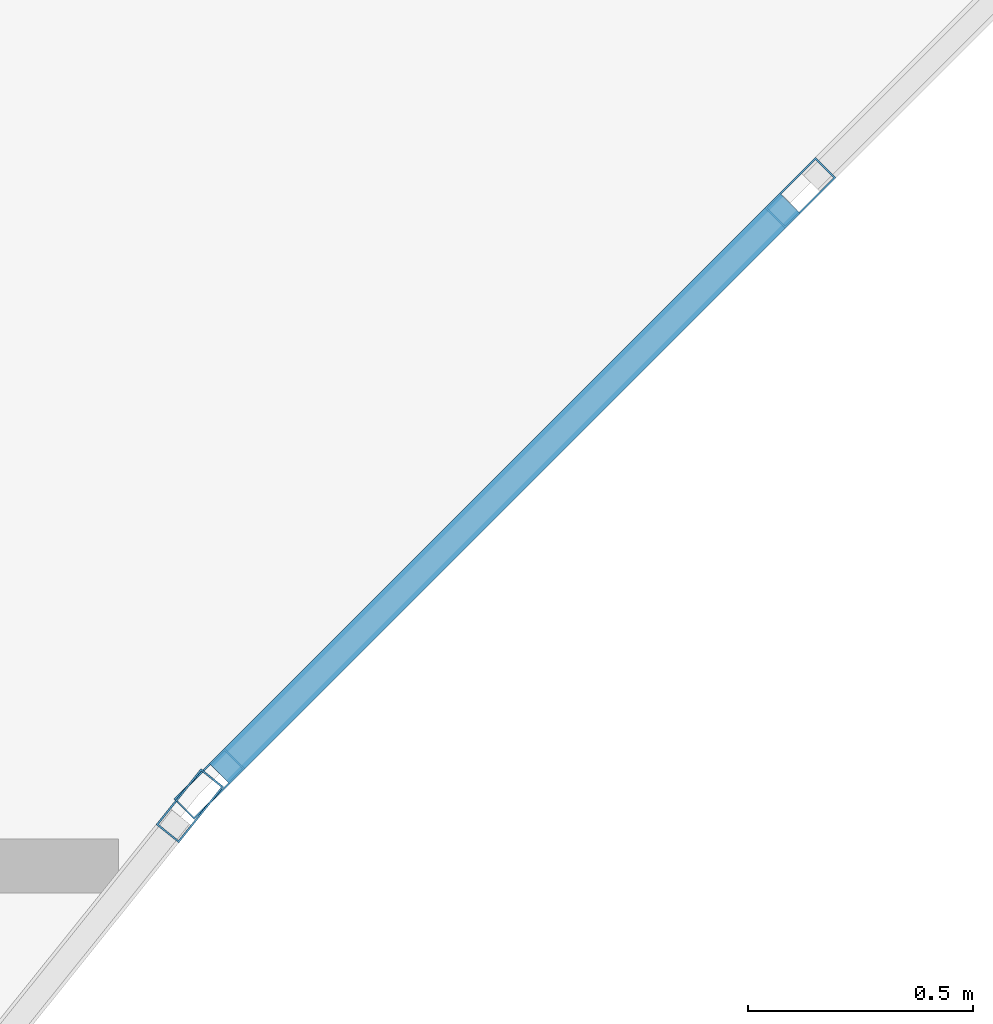
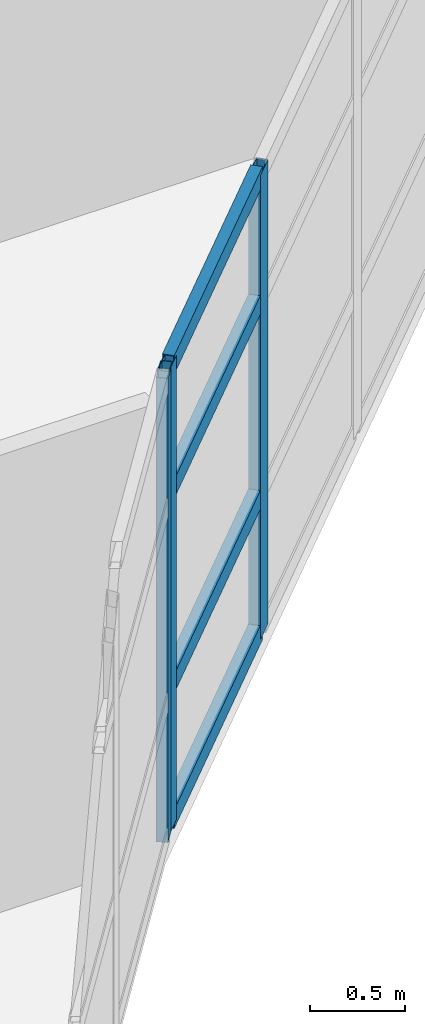
# One storey, part 47 of 128: 7 members, 2 elements without a shape of their own.
"""IFC4 building model written with IfcOpenShell, lengths in metres."""

from ifc_helpers import new_model, si_unit, direction, frame, origin, origin_2d, place, context, subcontext, project, spatial, hollow_rectangle, extrude, material, layer, layer_set, material_profile, profile_set, type_object, element, aggregate, save


model = new_model("IFC4")

# Units and contexts
model_context = context("Model", 3, precision=1e-05, world=origin(), true_north=direction((0.0, 1.0)))
body_context = subcontext(model_context, "Body", "Model", "MODEL_VIEW")
ifc_project = project(units=[si_unit("LENGTHUNIT", "METRE"), si_unit("AREAUNIT", "SQUARE_METRE"), si_unit("VOLUMEUNIT", "CUBIC_METRE"), si_unit("PLANEANGLEUNIT", "RADIAN"), si_unit("MASSUNIT", "GRAM", prefix="KILO")], contexts=[model_context])

# Site, building, storey
site_placement = place(None, origin())
site = spatial("IfcSite", under=ifc_project, at=site_placement, CompositionType="ELEMENT")
building_placement = place(site_placement, origin())
building = spatial("IfcBuilding", under=site, at=building_placement, Name="Keldmere Railside Commons", CompositionType="ELEMENT")
storey_placement = place(building_placement, frame((0.0, 0.0, 4.159912109375)))
storey = spatial("IfcBuildingStorey", under=building, at=storey_placement, Name="L01", CompositionType="ELEMENT", Elevation=4.159912109375)

# Curtain wall, member
ifc_material = material(Name="Thermally Broken Aluminium", Category="aluminium")
ifc_layer_1 = layer(ifc_material, 0.159912109375, Name="Court Chord Wintergarden CW 4800x2850")
ifc_layer_set_1 = layer_set([ifc_layer_1], Name="Thermally Broken Aluminium")
curtain_wall_type_1 = type_object("IfcCurtainWallType", Name="Court Chord Wintergarden CW 4800x2850", PredefinedType="NOTDEFINED", material=ifc_layer_set_1)
curtain_wall_1_placement = place(storey_placement, origin())
curtain_wall_1 = element("IfcCurtainWall", 1, at=curtain_wall_1_placement, inside=storey, type_object=curtain_wall_type_1, Name="CW-12 CW-L01-031", PredefinedType="NOTDEFINED")
ifc_material_profile_1 = material_profile(ifc_material, hollow_rectangle(XDim=0.06494140625, YDim=0.159912109375, WallThickness=0.00390625, at=origin_2d()), Name="ALU-MULL-65x160")
ifc_profile_set_1 = profile_set([ifc_material_profile_1], Name="Thermally Broken Aluminium")
member_type_1 = type_object("IfcMemberType", Name="Unitised Curtain Wall Mullion 65x160", PredefinedType="MULLION", material=ifc_profile_set_1)
member_1_placement = place(storey_placement, frame((67.53369140625, 92.404541015625, 0.0), z_axis=(0.0, 0.0, 1.0), x_axis=(0.780009172323, -0.625768080915, 0.0)))
member_1 = element("IfcMember", 2, at=member_1_placement, type_object=member_type_1, Name="CW-12 mullion 1", PredefinedType="MULLION", context=body_context, shape_type="SweptSolid", body=[
    extrude(hollow_rectangle(XDim=0.06494140625, YDim=0.159912109375, WallThickness=0.00390625, at=origin_2d()), origin(), (0.0, 0.0, 1.0), 2.97998046875),
])
aggregate(curtain_wall_1, [member_1])

# Curtain wall, members
ifc_layer_2 = layer(ifc_material, 0.159912109375, Name="Court Chord Wintergarden CW 5400x2850")
ifc_layer_set_2 = layer_set([ifc_layer_2], Name="Thermally Broken Aluminium")
curtain_wall_type_2 = type_object("IfcCurtainWallType", Name="Court Chord Wintergarden CW 5400x2850", PredefinedType="NOTDEFINED", material=ifc_layer_set_2)
curtain_wall_2_placement = place(storey_placement, origin())
curtain_wall_2 = element("IfcCurtainWall", 3, at=curtain_wall_2_placement, inside=storey, type_object=curtain_wall_type_2, Name="CW-13 CW-L01-032", PredefinedType="NOTDEFINED")
member_2_placement = place(storey_placement, frame((68.892578125, 93.7685546875, 0.0), z_axis=(0.0, 0.0, 1.0), x_axis=(0.707106781187, -0.707106781187, 0.0)))
member_2 = element("IfcMember", 4, at=member_2_placement, type_object=member_type_1, Name="CW-13 mullion 3", PredefinedType="MULLION", context=body_context, shape_type="SweptSolid", body=[
    extrude(hollow_rectangle(XDim=0.06494140625, YDim=0.159912109375, WallThickness=0.00390625, at=origin_2d()), origin(), (0.0, 0.0, 1.0), 2.97998046875),
])
member_3_placement = place(storey_placement, frame((67.576904296875, 92.452880859375, 0.0), z_axis=(0.0, 0.0, 1.0), x_axis=(0.707106781187, -0.707106781187, 0.0)))
member_3 = element("IfcMember", 5, at=member_3_placement, type_object=member_type_1, Name="CW-13 mullion 4", PredefinedType="MULLION", context=body_context, shape_type="SweptSolid", body=[
    extrude(hollow_rectangle(XDim=0.06494140625, YDim=0.159912109375, WallThickness=0.00390625, at=origin_2d()), origin(), (0.0, 0.0, 1.0), 2.97998046875),
])
ifc_material_profile_2 = material_profile(ifc_material, hollow_rectangle(XDim=0.06494140625, YDim=0.1201171875, WallThickness=0.00390625, at=origin_2d()), Name="ALU-TRAN-65x120")
ifc_profile_set_2 = profile_set([ifc_material_profile_2], Name="Thermally Broken Aluminium")
member_type_2 = type_object("IfcMemberType", Name="Unitised Curtain Wall Transom 65x120", PredefinedType="USERDEFINED", material=ifc_profile_set_2)
member_4_placement = place(storey_placement, frame((68.86962890625, 93.74560546875, 0.032470703125), z_axis=(-0.707174762418, -0.707038793419, 0.0), x_axis=(0.707038793419, -0.707174762418, 0.0)))
member_4 = element("IfcMember", 6, at=member_4_placement, type_object=member_type_2, Name="CW-13 transom 3.1", ObjectType="TRANSOM", PredefinedType="USERDEFINED", context=body_context, shape_type="SweptSolid", body=[
    extrude(hollow_rectangle(XDim=0.06494140625, YDim=0.1201171875, WallThickness=0.00390625, at=origin_2d()), origin(), (0.0, 0.0, 1.0), 1.795654296875),
])
member_5_placement = place(storey_placement, frame((68.86962890625, 93.74560546875, 0.900146484375), z_axis=(-0.707174762418, -0.707038793419, 0.0), x_axis=(0.707038793419, -0.707174762418, 0.0)))
member_5 = element("IfcMember", 7, at=member_5_placement, type_object=member_type_2, Name="CW-13 transom 3.2", ObjectType="TRANSOM", PredefinedType="USERDEFINED", context=body_context, shape_type="SweptSolid", body=[
    extrude(hollow_rectangle(XDim=0.06494140625, YDim=0.1201171875, WallThickness=0.00390625, at=origin_2d()), origin(), (0.0, 0.0, 1.0), 1.795654296875),
])
member_6_placement = place(storey_placement, frame((68.86962890625, 93.74560546875, 2.150146484375), z_axis=(-0.707174762418, -0.707038793419, 0.0), x_axis=(0.707038793419, -0.707174762418, 0.0)))
member_6 = element("IfcMember", 8, at=member_6_placement, type_object=member_type_2, Name="CW-13 transom 3.3", ObjectType="TRANSOM", PredefinedType="USERDEFINED", context=body_context, shape_type="SweptSolid", body=[
    extrude(hollow_rectangle(XDim=0.06494140625, YDim=0.1201171875, WallThickness=0.00390625, at=origin_2d()), origin(), (0.0, 0.0, 1.0), 1.795654296875),
])
member_7_placement = place(storey_placement, frame((68.86962890625, 93.74560546875, 2.947509765625), z_axis=(-0.707174762418, -0.707038793419, 0.0), x_axis=(0.707038793419, -0.707174762418, 0.0)))
member_7 = element("IfcMember", 9, at=member_7_placement, type_object=member_type_2, Name="CW-13 transom 3.4", ObjectType="TRANSOM", PredefinedType="USERDEFINED", context=body_context, shape_type="SweptSolid", body=[
    extrude(hollow_rectangle(XDim=0.06494140625, YDim=0.1201171875, WallThickness=0.00390625, at=origin_2d()), origin(), (0.0, 0.0, 1.0), 1.795654296875),
])
aggregate(curtain_wall_2, [member_2, member_3, member_4, member_5, member_6, member_7])

save(model, "model.ifc")
